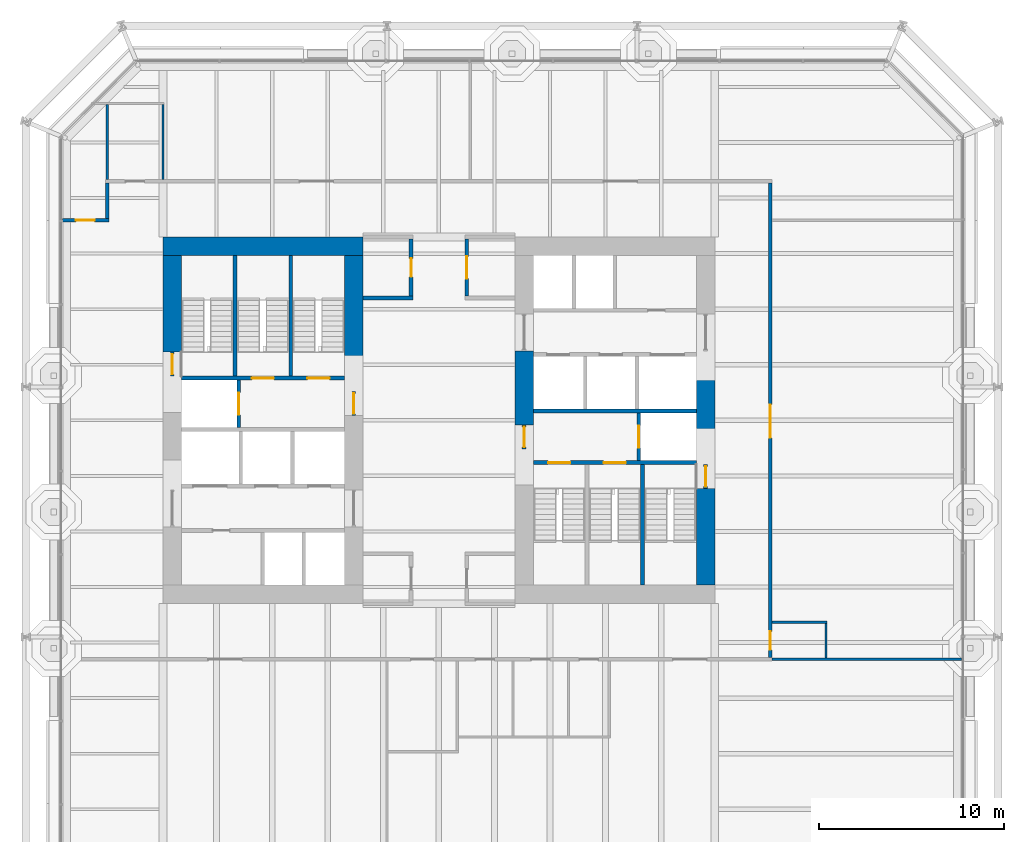
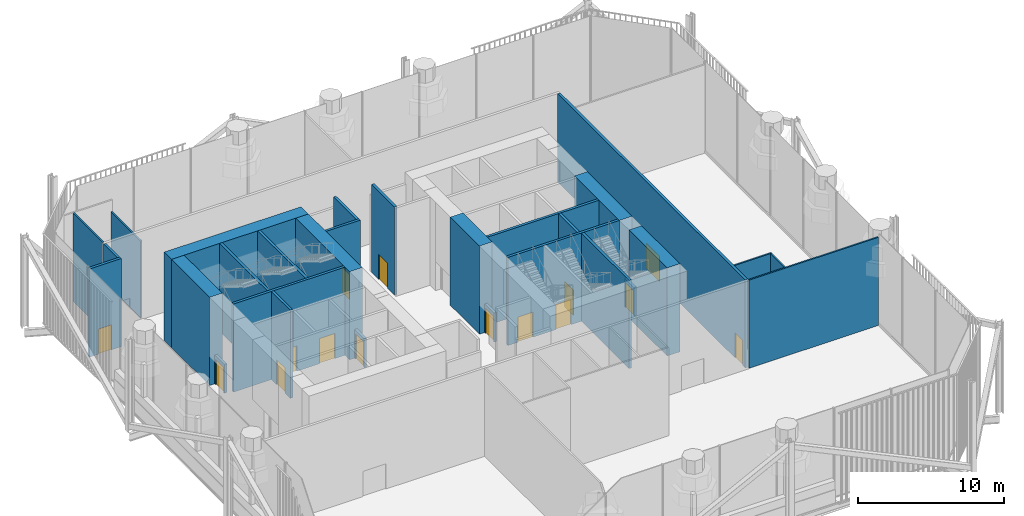
# One storey, part 13 of 18: 29 walls, 15 doors, 15 openings.
"""IFC4 building model written with IfcOpenShell, lengths in metres."""

from ifc_helpers import new_model, si_unit, direction, frame, frame_2d, origin, place, context, subcontext, project, spatial, rectangle, extrude, material, layer, layer_set, type_object, element, fill, save


model = new_model("IFC4")

# Units and contexts
model_context = context("Model", 3, precision=1e-05, world=origin(), true_north=direction((0.0, 1.0)))
body_context = subcontext(model_context, "Body", "Model", "MODEL_VIEW")
ifc_project = project(units=[si_unit("LENGTHUNIT", "METRE"), si_unit("AREAUNIT", "SQUARE_METRE"), si_unit("VOLUMEUNIT", "CUBIC_METRE"), si_unit("PLANEANGLEUNIT", "RADIAN"), si_unit("MASSUNIT", "GRAM", prefix="KILO")], contexts=[model_context])

# Site, building, storey
site_placement = place(None, origin())
site = spatial("IfcSite", under=ifc_project, at=site_placement, CompositionType="ELEMENT")
building_placement = place(site_placement, origin())
building = spatial("IfcBuilding", under=site, at=building_placement, Name="Millrace Tower", CompositionType="ELEMENT")
storey_placement = place(building_placement, frame((0.0, 0.0, 112.800048828125)))
storey = spatial("IfcBuildingStorey", under=building, at=storey_placement, Name="L25", CompositionType="ELEMENT", Elevation=112.800048828125)

# Walls
ifc_material_1 = material(Name="Concrete C80", Category="concrete")
ifc_layer_1 = layer(ifc_material_1, 1.0)
ifc_layer_set_1 = layer_set([ifc_layer_1], Name="Concrete C80")
wall_type_1 = type_object("IfcWallType", Name="Core wall 1000 Concrete C80", PredefinedType="SHEAR", material=ifc_layer_set_1)
wall_1_placement = place(storey_placement, frame((-14.89990234375, 9.39990234375, 0.0), z_axis=(0.0, 0.0, 1.0), x_axis=(1.0, 0.0, 0.0)))
element("IfcWall", 1, at=wall_1_placement, inside=storey, type_object=wall_type_1, Name="Core wall W L25", PredefinedType="SHEAR", context=body_context, shape_type="SweptSolid", body=[
    extrude(rectangle(XDim=10.7998046875, YDim=1.0, at=frame_2d((5.39990234375, 0.0))), origin(), (0.0, 0.0, 1.0), 7.349853515625),
])
wall_2_placement = place(storey_placement, frame((-14.39990234375, 3.679931640625, 0.0), z_axis=(0.0, 0.0, 1.0), x_axis=(0.0, 1.0, 0.0)))
element("IfcWall", 2, at=wall_2_placement, inside=storey, type_object=wall_type_1, Name="Core wall W L25", PredefinedType="SHEAR", context=body_context, shape_type="SweptSolid", body=[
    extrude(rectangle(XDim=5.219970703125, YDim=1.0, at=frame_2d((2.60986328125, 0.0))), origin(), (0.0, 0.0, 1.0), 7.349853515625),
])
wall_3_placement = place(storey_placement, frame((-4.60009765625, 1.550048828125, 0.0), z_axis=(0.0, 0.0, 1.0), x_axis=(0.0, 1.0, 0.0)))
element("IfcWall", 3, at=wall_3_placement, inside=storey, type_object=wall_type_1, Name="Core wall W L25", PredefinedType="SHEAR", context=body_context, shape_type="SweptSolid", body=[
    extrude(rectangle(XDim=7.349853515625, YDim=1.0, at=frame_2d((3.6748046875, 0.0))), origin(), (0.0, 0.0, 1.0), 7.349853515625),
])
wall_4_placement = place(storey_placement, frame((14.39990234375, 3.75, 0.0), z_axis=(0.0, 0.0, 1.0), x_axis=(0.0, -1.0, 0.0)))
element("IfcWall", 4, at=wall_4_placement, inside=storey, type_object=wall_type_1, Name="Core wall E L25", PredefinedType="SHEAR", context=body_context, shape_type="SweptSolid", body=[
    extrude(rectangle(XDim=6.1298828125, YDim=1.0, at=frame_2d((3.06494140625, 0.0))), origin(), (0.0, 0.0, 1.0), 7.349853515625),
])
wall_5_placement = place(storey_placement, frame((14.39990234375, -3.679931640625, 0.0), z_axis=(0.0, 0.0, 1.0), x_axis=(0.0, -1.0, 0.0)))
element("IfcWall", 5, at=wall_5_placement, inside=storey, type_object=wall_type_1, Name="Core wall E L25", PredefinedType="SHEAR", context=body_context, shape_type="SweptSolid", body=[
    extrude(rectangle(XDim=5.219970703125, YDim=1.0, at=frame_2d((2.60986328125, 0.0))), origin(), (0.0, 0.0, 1.0), 7.349853515625),
])
wall_6_placement = place(storey_placement, frame((4.60009765625, 3.75, 0.0), z_axis=(0.0, 0.0, 1.0), x_axis=(0.0, -1.0, 0.0)))
element("IfcWall", 6, at=wall_6_placement, inside=storey, type_object=wall_type_1, Name="Core wall E L25", PredefinedType="SHEAR", context=body_context, shape_type="SweptSolid", body=[
    extrude(rectangle(XDim=4.0, YDim=1.0, at=frame_2d((2.0, 0.0))), origin(), (0.0, 0.0, 1.0), 7.349853515625),
])
ifc_material_2 = material(Name="Masonry partition, fire-rated", Category="masonry")
ifc_layer_2 = layer(ifc_material_2, 0.199951171875)
ifc_layer_set_2 = layer_set([ifc_layer_2], Name="Masonry partition, fire-rated")
wall_type_2 = type_object("IfcWallType", Name="Corridor wall 200", PredefinedType="PARTITIONING", material=ifc_layer_set_2)
wall_7_placement = place(storey_placement, frame((-4.10009765625, 6.60009765625, 0.0), z_axis=(0.0, 0.0, 1.0), x_axis=(1.0, 0.0, 0.0)))
element("IfcWall", 7, at=wall_7_placement, inside=storey, type_object=wall_type_2, Name="Corridor wall L25", PredefinedType="PARTITIONING", context=body_context, shape_type="SweptSolid", body=[
    extrude(rectangle(XDim=2.7001953125, YDim=0.199951171875, at=frame_2d((1.35009765625, 0.0))), origin(), (0.0, 0.0, 1.0), 7.349853515625),
])

# Wall, opening, door
wall_8_placement = place(storey_placement, frame((-20.330078125, 10.800048828125, 0.0), z_axis=(0.0, 0.0, 1.0), x_axis=(1.0, 0.0, 0.0)))
wall_8 = element("IfcWall", 8, at=wall_8_placement, inside=storey, type_object=wall_type_2, Name="Corridor wall L25", PredefinedType="PARTITIONING", context=body_context, shape_type="SweptSolid", body=[
    extrude(rectangle(XDim=2.530029296875, YDim=0.199951171875, at=frame_2d((1.26513671875, 0.0))), origin(), (0.0, 0.0, 1.0), 7.349853515625),
])
opening_1_placement = place(wall_8_placement, frame((0.739990234375, 0.0, 0.0)))
opening_1 = element("IfcOpeningElement", 9, at=opening_1_placement, cuts=wall_8, Name="Opening 25-P010", PredefinedType="OPENING", context=body_context, shape_type="SweptSolid", body=[
    extrude(rectangle(XDim=1.0, YDim=2.10009765625, at=frame_2d((0.5, 1.050048828125))), frame((0.0, 0.10986328125, 0.0), z_axis=(0.0, -1.0, 0.0), x_axis=(1.0, 0.0, 0.0)), (0.0, 0.0, 1.0), 0.219970703125),
])
ifc_material_3 = material(Name="Steel door set, fire-rated", Category="steel")
door_type_1 = type_object("IfcDoorType", Name="Corridor door 1000 x 2100", OperationType="SINGLE_SWING_LEFT", PredefinedType="DOOR", material=ifc_material_3)
door_1_placement = place(opening_1_placement, origin())
door_1 = element("IfcDoor", 10, at=door_1_placement, inside=storey, type_object=door_type_1, Name="Door 25-P010", OperationType="SINGLE_SWING_LEFT", OverallHeight=2.10009765625, OverallWidth=1.0, PredefinedType="DOOR", context=body_context, shape_type="SweptSolid", body=[
    extrude(rectangle(XDim=1.0, YDim=2.10009765625, at=frame_2d((0.5, 1.050048828125))), frame((0.0, 0.02490234375, 0.0), z_axis=(0.0, -1.0, 0.0), x_axis=(1.0, 0.0, 0.0)), (0.0, 0.0, 1.0), 0.050048828125),
])
fill(opening_1, door_1)

# Wall, openings, doors
wall_9_placement = place(storey_placement, frame((17.89990234375, -12.800048828125, 0.0), z_axis=(0.0, 0.0, 1.0), x_axis=(0.0, 1.0, 0.0)))
wall_9 = element("IfcWall", 11, at=wall_9_placement, inside=storey, type_object=wall_type_2, Name="Corridor wall L25", PredefinedType="PARTITIONING", context=body_context, shape_type="SweptSolid", body=[
    extrude(rectangle(XDim=25.60009765625, YDim=0.199951171875, at=frame_2d((12.800048828125, 0.0))), origin(), (0.0, 0.0, 1.0), 7.349853515625),
])
opening_2_placement = place(wall_9_placement, frame((11.85009765625, 0.0, 0.0)))
opening_2 = element("IfcOpeningElement", 12, at=opening_2_placement, cuts=wall_9, Name="Opening 25-P012", PredefinedType="OPENING", context=body_context, shape_type="SweptSolid", body=[
    extrude(rectangle(XDim=1.800048828125, YDim=2.10009765625, at=frame_2d((0.89990234375, 1.050048828125))), frame((0.0, 0.10986328125, 0.0), z_axis=(0.0, -1.0, 0.0), x_axis=(1.0, 0.0, 0.0)), (0.0, 0.0, 1.0), 0.219970703125),
])
opening_3_placement = place(wall_9_placement, frame((0.39990234375, 0.0, 0.0)))
opening_3 = element("IfcOpeningElement", 13, at=opening_3_placement, cuts=wall_9, Name="Opening 25-P013", PredefinedType="OPENING", context=body_context, shape_type="SweptSolid", body=[
    extrude(rectangle(XDim=1.0, YDim=2.10009765625, at=frame_2d((0.5, 1.050048828125))), frame((0.0, 0.10986328125, 0.0), z_axis=(0.0, -1.0, 0.0), x_axis=(1.0, 0.0, 0.0)), (0.0, 0.0, 1.0), 0.219970703125),
])
door_2_placement = place(opening_3_placement, frame((1.0, 0.0, 0.0), z_axis=(0.0, 0.0, 1.0), x_axis=(-1.0, 0.0, 0.0)))
door_2 = element("IfcDoor", 14, at=door_2_placement, inside=storey, type_object=door_type_1, Name="Door 25-P013", OperationType="SINGLE_SWING_RIGHT", OverallHeight=2.10009765625, OverallWidth=1.0, PredefinedType="DOOR", context=body_context, shape_type="SweptSolid", body=[
    extrude(rectangle(XDim=1.0, YDim=2.10009765625, at=frame_2d((0.5, 1.050048828125))), frame((0.0, 0.02490234375, 0.0), z_axis=(0.0, -1.0, 0.0), x_axis=(1.0, 0.0, 0.0)), (0.0, 0.0, 1.0), 0.050048828125),
])
fill(opening_3, door_2)
ifc_material_4 = material(Name="Steel door set, fire-rated", Category="steel")
door_type_2 = type_object("IfcDoorType", Name="Corridor door 1800 x 2100", OperationType="DOUBLE_DOOR_SINGLE_SWING", PredefinedType="DOOR", material=ifc_material_4)
door_3_placement = place(opening_2_placement, origin())
door_3 = element("IfcDoor", 15, at=door_3_placement, inside=storey, type_object=door_type_2, Name="Door 25-P012", OperationType="DOUBLE_DOOR_SINGLE_SWING", OverallHeight=2.10009765625, OverallWidth=1.800048828125, PredefinedType="DOOR", context=body_context, shape_type="SweptSolid", body=[
    extrude(rectangle(XDim=1.800048828125, YDim=2.10009765625, at=frame_2d((0.89990234375, 1.050048828125))), frame((0.0, 0.02490234375, 0.0), z_axis=(0.0, -1.0, 0.0), x_axis=(1.0, 0.0, 0.0)), (0.0, 0.0, 1.0), 0.050048828125),
])
fill(opening_2, door_3)

# Wall, opening, door
wall_10_placement = place(storey_placement, frame((1.5, 6.699951171875, 0.0), z_axis=(0.0, 0.0, 1.0), x_axis=(0.0, 1.0, 0.0)))
wall_10 = element("IfcWall", 16, at=wall_10_placement, inside=storey, type_object=wall_type_2, Name="Corridor wall L25", PredefinedType="PARTITIONING", context=body_context, shape_type="SweptSolid", body=[
    extrude(rectangle(XDim=3.10009765625, YDim=0.199951171875, at=frame_2d((1.550048828125, 0.0))), origin(), (0.0, 0.0, 1.0), 7.349853515625),
])
opening_4_placement = place(wall_10_placement, frame((0.949951171875, 0.0, 0.0)))
opening_4 = element("IfcOpeningElement", 17, at=opening_4_placement, cuts=wall_10, Name="Opening 25-P002", PredefinedType="OPENING", context=body_context, shape_type="SweptSolid", body=[
    extrude(rectangle(XDim=1.199951171875, YDim=2.10009765625, at=frame_2d((0.60009765625, 1.050048828125))), frame((0.0, 0.10986328125, 0.0), z_axis=(0.0, -1.0, 0.0), x_axis=(1.0, 0.0, 0.0)), (0.0, 0.0, 1.0), 0.219970703125),
])
ifc_material_5 = material(Name="Steel door set, fire-rated", Category="steel")
door_type_3 = type_object("IfcDoorType", Name="Corridor door 1200 x 2100", OperationType="SINGLE_SWING_LEFT", PredefinedType="DOOR", material=ifc_material_5)
door_4_placement = place(opening_4_placement, frame((1.199951171875, 0.0, 0.0), z_axis=(0.0, 0.0, 1.0), x_axis=(-1.0, 0.0, 0.0)))
door_4 = element("IfcDoor", 18, at=door_4_placement, inside=storey, type_object=door_type_3, Name="Door 25-P002", OperationType="SINGLE_SWING_RIGHT", OverallHeight=2.10009765625, OverallWidth=1.199951171875, PredefinedType="DOOR", context=body_context, shape_type="SweptSolid", body=[
    extrude(rectangle(XDim=1.199951171875, YDim=2.10009765625, at=frame_2d((0.60009765625, 1.050048828125))), frame((0.0, 0.02490234375, 0.0), z_axis=(0.0, -1.0, 0.0), x_axis=(1.0, 0.0, 0.0)), (0.0, 0.0, 1.0), 0.050048828125),
])
fill(opening_4, door_4)

wall_11_placement = place(storey_placement, frame((-1.5, 6.699951171875, 0.0), z_axis=(0.0, 0.0, 1.0), x_axis=(0.0, 1.0, 0.0)))
wall_11 = element("IfcWall", 19, at=wall_11_placement, inside=storey, type_object=wall_type_2, Name="Corridor wall L25", PredefinedType="PARTITIONING", context=body_context, shape_type="SweptSolid", body=[
    extrude(rectangle(XDim=3.10009765625, YDim=0.199951171875, at=frame_2d((1.550048828125, 0.0))), origin(), (0.0, 0.0, 1.0), 7.349853515625),
])
opening_5_placement = place(wall_11_placement, frame((1.050048828125, 0.0, 0.0)))
opening_5 = element("IfcOpeningElement", 20, at=opening_5_placement, cuts=wall_11, Name="Opening 25-P001", PredefinedType="OPENING", context=body_context, shape_type="SweptSolid", body=[
    extrude(rectangle(XDim=1.0, YDim=2.10009765625, at=frame_2d((0.5, 1.050048828125))), frame((0.0, 0.10986328125, 0.0), z_axis=(0.0, -1.0, 0.0), x_axis=(1.0, 0.0, 0.0)), (0.0, 0.0, 1.0), 0.219970703125),
])
door_5_placement = place(opening_5_placement, origin())
door_5 = element("IfcDoor", 21, at=door_5_placement, inside=storey, type_object=door_type_1, Name="Door 25-P001", OperationType="SINGLE_SWING_LEFT", OverallHeight=2.10009765625, OverallWidth=1.0, PredefinedType="DOOR", context=body_context, shape_type="SweptSolid", body=[
    extrude(rectangle(XDim=1.0, YDim=2.10009765625, at=frame_2d((0.5, 1.050048828125))), frame((0.0, 0.02490234375, 0.0), z_axis=(0.0, -1.0, 0.0), x_axis=(1.0, 0.0, 0.0)), (0.0, 0.0, 1.0), 0.050048828125),
])
fill(opening_5, door_5)

# Wall
wall_12_placement = place(storey_placement, frame((-17.89990234375, 10.89990234375, 0.0), z_axis=(0.0, 0.0, 1.0), x_axis=(0.0, 1.0, 0.0)))
element("IfcWall", 22, at=wall_12_placement, inside=storey, type_object=wall_type_2, Name="Corridor wall L25", PredefinedType="PARTITIONING", context=body_context, shape_type="SweptSolid", body=[
    extrude(rectangle(XDim=1.900146484375, YDim=0.199951171875, at=frame_2d((0.9501953125, 0.0))), origin(), (0.0, 0.0, 1.0), 7.349853515625),
])

# Wall, opening, door
ifc_material_6 = material(Name="Masonry partition, fire-rated", Category="masonry")
ifc_layer_3 = layer(ifc_material_6, 0.199951171875)
ifc_layer_set_3 = layer_set([ifc_layer_3], Name="Masonry partition, fire-rated")
wall_type_3 = type_object("IfcWallType", Name="Lift shaft wall 200", PredefinedType="PARTITIONING", material=ifc_layer_set_3)
wall_13_placement = place(storey_placement, frame((-10.800048828125, -0.39990234375, 0.0), z_axis=(0.0, 0.0, 1.0), x_axis=(0.0, 1.0, 0.0)))
wall_13 = element("IfcWall", 23, at=wall_13_placement, inside=storey, type_object=wall_type_3, Name="Lift shaft wall W L25", PredefinedType="PARTITIONING", context=body_context, shape_type="SweptSolid", body=[
    extrude(rectangle(XDim=2.579833984375, YDim=0.199951171875, at=frame_2d((1.2900390625, 0.0))), origin(), (0.0, 0.0, 1.0), 7.349853515625),
])
opening_6_placement = place(wall_13_placement, frame((0.68994140625, 0.0, 0.0)))
opening_6 = element("IfcOpeningElement", 24, at=opening_6_placement, cuts=wall_13, Name="Opening 25-LD08", PredefinedType="OPENING", context=body_context, shape_type="SweptSolid", body=[
    extrude(rectangle(XDim=1.199951171875, YDim=2.10009765625, at=frame_2d((0.60009765625, 1.050048828125))), frame((0.0, 0.10986328125, 0.0), z_axis=(0.0, -1.0, 0.0), x_axis=(1.0, 0.0, 0.0)), (0.0, 0.0, 1.0), 0.219970703125),
])
ifc_material_7 = material(Name="Stainless steel, fire-rated", Category="steel")
door_type_4 = type_object("IfcDoorType", Name="Lift landing door 1200 x 2100", OperationType="DOUBLE_DOOR_SLIDING", PredefinedType="DOOR", material=ifc_material_7)
door_6_placement = place(opening_6_placement, origin())
door_6 = element("IfcDoor", 25, at=door_6_placement, inside=storey, type_object=door_type_4, Name="Lift landing door LF8 L25", OperationType="DOUBLE_DOOR_SLIDING", OverallHeight=2.10009765625, OverallWidth=1.199951171875, PredefinedType="DOOR", context=body_context, shape_type="SweptSolid", body=[
    extrude(rectangle(XDim=1.199951171875, YDim=2.10009765625, at=frame_2d((0.60009765625, 1.050048828125))), frame((0.0, 0.02490234375, 0.0), z_axis=(0.0, -1.0, 0.0), x_axis=(1.0, 0.0, 0.0)), (0.0, 0.0, 1.0), 0.050048828125),
])
fill(opening_6, door_6)

# Wall
wall_14_placement = place(storey_placement, frame((13.89990234375, 0.5, 0.0), z_axis=(0.0, 0.0, 1.0), x_axis=(-1.0, 0.0, 0.0)))
element("IfcWall", 26, at=wall_14_placement, inside=storey, type_object=wall_type_3, Name="Lift shaft wall E L25", PredefinedType="PARTITIONING", context=body_context, shape_type="SweptSolid", body=[
    extrude(rectangle(XDim=8.7998046875, YDim=0.199951171875, at=frame_2d((4.39990234375, 0.0))), origin(), (0.0, 0.0, 1.0), 7.349853515625),
])

# Wall, opening, door
wall_15_placement = place(storey_placement, frame((10.800048828125, 0.39990234375, 0.0), z_axis=(0.0, 0.0, 1.0), x_axis=(0.0, -1.0, 0.0)))
wall_15 = element("IfcWall", 27, at=wall_15_placement, inside=storey, type_object=wall_type_3, Name="Lift shaft wall E L25", PredefinedType="PARTITIONING", context=body_context, shape_type="SweptSolid", body=[
    extrude(rectangle(XDim=2.579833984375, YDim=0.199951171875, at=frame_2d((1.2900390625, 0.0))), origin(), (0.0, 0.0, 1.0), 7.349853515625),
])
opening_7_placement = place(wall_15_placement, frame((0.68994140625, 0.0, 0.0)))
opening_7 = element("IfcOpeningElement", 28, at=opening_7_placement, cuts=wall_15, Name="Opening 25-LD16", PredefinedType="OPENING", context=body_context, shape_type="SweptSolid", body=[
    extrude(rectangle(XDim=1.199951171875, YDim=2.10009765625, at=frame_2d((0.60009765625, 1.050048828125))), frame((0.0, 0.10986328125, 0.0), z_axis=(0.0, -1.0, 0.0), x_axis=(1.0, 0.0, 0.0)), (0.0, 0.0, 1.0), 0.219970703125),
])
door_7_placement = place(opening_7_placement, origin())
door_7 = element("IfcDoor", 29, at=door_7_placement, inside=storey, type_object=door_type_4, Name="Lift landing door LF16 L25", OperationType="DOUBLE_DOOR_SLIDING", OverallHeight=2.10009765625, OverallWidth=1.199951171875, PredefinedType="DOOR", context=body_context, shape_type="SweptSolid", body=[
    extrude(rectangle(XDim=1.199951171875, YDim=2.10009765625, at=frame_2d((0.60009765625, 1.050048828125))), frame((0.0, 0.02490234375, 0.0), z_axis=(0.0, -1.0, 0.0), x_axis=(1.0, 0.0, 0.0)), (0.0, 0.0, 1.0), 0.050048828125),
])
fill(opening_7, door_7)

ifc_material_8 = material(Name="Masonry partition, fire-rated", Category="masonry")
ifc_layer_4 = layer(ifc_material_8, 0.199951171875)
ifc_layer_set_4 = layer_set([ifc_layer_4], Name="Masonry partition, fire-rated")
wall_type_4 = type_object("IfcWallType", Name="Lobby wall 200", PredefinedType="PARTITIONING", material=ifc_layer_set_4)
wall_16_placement = place(storey_placement, frame((-4.60009765625, 0.25, 0.0), z_axis=(0.0, 0.0, 1.0), x_axis=(0.0, 1.0, 0.0)))
wall_16 = element("IfcWall", 30, at=wall_16_placement, inside=storey, type_object=wall_type_4, Name="Lobby wall W L25", PredefinedType="PARTITIONING", context=body_context, shape_type="SweptSolid", body=[
    extrude(rectangle(XDim=1.300048828125, YDim=0.199951171875, at=frame_2d((0.64990234375, 0.0))), origin(), (0.0, 0.0, 1.0), 2.39990234375),
])
opening_8_placement = place(wall_16_placement, frame((0.10009765625, 0.0, 0.0)))
opening_8 = element("IfcOpeningElement", 31, at=opening_8_placement, cuts=wall_16, Name="Opening 25-C004", PredefinedType="OPENING", context=body_context, shape_type="SweptSolid", body=[
    extrude(rectangle(XDim=1.10009765625, YDim=2.10009765625, at=frame_2d((0.550048828125, 1.050048828125))), frame((0.0, 0.10986328125, 0.0), z_axis=(0.0, -1.0, 0.0), x_axis=(1.0, 0.0, 0.0)), (0.0, 0.0, 1.0), 0.219970703125),
])
ifc_material_9 = material(Name="Steel door, fire-rated", Category="steel")
door_type_5 = type_object("IfcDoorType", Name="Lobby door 1100 x 2100", OperationType="SINGLE_SWING_LEFT", PredefinedType="DOOR", material=ifc_material_9)
door_8_placement = place(opening_8_placement, origin())
door_8 = element("IfcDoor", 32, at=door_8_placement, inside=storey, type_object=door_type_5, Name="Lobby door 25-C004", OperationType="SINGLE_SWING_RIGHT", OverallHeight=2.10009765625, OverallWidth=1.10009765625, PredefinedType="DOOR", context=body_context, shape_type="SweptSolid", body=[
    extrude(rectangle(XDim=1.10009765625, YDim=2.10009765625, at=frame_2d((0.550048828125, 1.050048828125))), frame((0.0, 0.02490234375, 0.0), z_axis=(0.0, -1.0, 0.0), x_axis=(1.0, 0.0, 0.0)), (0.0, 0.0, 1.0), 0.050048828125),
])
fill(opening_8, door_8)

wall_17_placement = place(storey_placement, frame((4.60009765625, -0.25, 0.0), z_axis=(0.0, 0.0, 1.0), x_axis=(0.0, -1.0, 0.0)))
wall_17 = element("IfcWall", 33, at=wall_17_placement, inside=storey, type_object=wall_type_4, Name="Lobby wall E L25", PredefinedType="PARTITIONING", context=body_context, shape_type="SweptSolid", body=[
    extrude(rectangle(XDim=1.300048828125, YDim=0.199951171875, at=frame_2d((0.64990234375, 0.0))), origin(), (0.0, 0.0, 1.0), 2.39990234375),
])
opening_9_placement = place(wall_17_placement, frame((0.10009765625, 0.0, 0.0)))
opening_9 = element("IfcOpeningElement", 34, at=opening_9_placement, cuts=wall_17, Name="Opening 25-C011", PredefinedType="OPENING", context=body_context, shape_type="SweptSolid", body=[
    extrude(rectangle(XDim=1.10009765625, YDim=2.10009765625, at=frame_2d((0.550048828125, 1.050048828125))), frame((0.0, 0.10986328125, 0.0), z_axis=(0.0, -1.0, 0.0), x_axis=(1.0, 0.0, 0.0)), (0.0, 0.0, 1.0), 0.219970703125),
])
door_9_placement = place(opening_9_placement, origin())
door_9 = element("IfcDoor", 35, at=door_9_placement, inside=storey, type_object=door_type_5, Name="Lobby door 25-C011", OperationType="SINGLE_SWING_LEFT", OverallHeight=2.10009765625, OverallWidth=1.10009765625, PredefinedType="DOOR", context=body_context, shape_type="SweptSolid", body=[
    extrude(rectangle(XDim=1.10009765625, YDim=2.10009765625, at=frame_2d((0.550048828125, 1.050048828125))), frame((0.0, 0.02490234375, 0.0), z_axis=(0.0, -1.0, 0.0), x_axis=(1.0, 0.0, 0.0)), (0.0, 0.0, 1.0), 0.050048828125),
])
fill(opening_9, door_9)

# Walls
ifc_material_10 = material(Name="Gypsum board partition")
ifc_layer_5 = layer(ifc_material_10, 0.1201171875)
ifc_layer_set_5 = layer_set([ifc_layer_5], Name="Gypsum board partition")
wall_type_5 = type_object("IfcWallType", Name="Partition wall 120", PredefinedType="PARTITIONING", material=ifc_layer_set_5)
wall_18_placement = place(storey_placement, frame((18.0, -12.89990234375, 0.0), z_axis=(0.0, 0.0, 1.0), x_axis=(1.0, 0.0, 0.0)))
element("IfcWall", 36, at=wall_18_placement, inside=storey, type_object=wall_type_5, Name="Partition wall L25", PredefinedType="PARTITIONING", context=body_context, shape_type="SweptSolid", body=[
    extrude(rectangle(XDim=10.22998046875, YDim=0.1201171875, at=frame_2d((5.114990234375, 0.0))), origin(), (0.0, 0.0, 1.0), 7.349853515625),
])
wall_19_placement = place(storey_placement, frame((18.0, -10.89990234375, 0.0), z_axis=(0.0, 0.0, 1.0), x_axis=(1.0, 0.0, 0.0)))
element("IfcWall", 37, at=wall_19_placement, inside=storey, type_object=wall_type_5, Name="Partition wall L25", PredefinedType="PARTITIONING", context=body_context, shape_type="SweptSolid", body=[
    extrude(rectangle(XDim=2.9599609375, YDim=0.1201171875, at=frame_2d((1.47998046875, 0.0))), origin(), (0.0, 0.0, 1.0), 7.349853515625),
])
wall_20_placement = place(storey_placement, frame((20.89990234375, -12.840087890625, 0.0), z_axis=(0.0, 0.0, 1.0), x_axis=(0.0, 1.0, 0.0)))
element("IfcWall", 38, at=wall_20_placement, inside=storey, type_object=wall_type_5, Name="Partition wall L25", PredefinedType="PARTITIONING", context=body_context, shape_type="SweptSolid", body=[
    extrude(rectangle(XDim=1.880126953125, YDim=0.1201171875, at=frame_2d((0.93994140625, 0.0))), origin(), (0.0, 0.0, 1.0), 7.349853515625),
])
wall_21_placement = place(storey_placement, frame((-14.89990234375, 13.0, 0.0), z_axis=(0.0, 0.0, 1.0), x_axis=(0.0, 1.0, 0.0)))
element("IfcWall", 39, at=wall_21_placement, inside=storey, type_object=wall_type_5, Name="Partition wall L25", PredefinedType="PARTITIONING", context=body_context, shape_type="SweptSolid", body=[
    extrude(rectangle(XDim=4.0390625, YDim=0.1201171875, at=frame_2d((2.01953125, 0.0))), origin(), (0.0, 0.0, 1.0), 6.402587890625),
])
wall_22_placement = place(storey_placement, frame((-17.89990234375, 13.0, 0.0), z_axis=(0.0, 0.0, 1.0), x_axis=(0.0, 1.0, 0.0)))
element("IfcWall", 40, at=wall_22_placement, inside=storey, type_object=wall_type_5, Name="Partition wall L25", PredefinedType="PARTITIONING", context=body_context, shape_type="SweptSolid", body=[
    extrude(rectangle(XDim=4.0390625, YDim=0.1201171875, at=frame_2d((2.01953125, 0.0))), origin(), (0.0, 0.0, 1.0), 7.349853515625),
])

# Wall, opening, door
ifc_material_11 = material(Name="Concrete C40", Category="concrete")
ifc_layer_6 = layer(ifc_material_11, 0.199951171875)
ifc_layer_set_6 = layer_set([ifc_layer_6], Name="Concrete C40")
wall_type_6 = type_object("IfcWallType", Name="Stair enclosure wall 200 Concrete C40", PredefinedType="SHEAR", material=ifc_layer_set_6)
wall_23_placement = place(storey_placement, frame((-14.39990234375, 2.3798828125, 0.0), z_axis=(0.0, 0.0, 1.0), x_axis=(0.0, 1.0, 0.0)))
wall_23 = element("IfcWall", 41, at=wall_23_placement, inside=storey, type_object=wall_type_6, Name="Stair enclosure wall W L25", PredefinedType="SHEAR", context=body_context, shape_type="SweptSolid", body=[
    extrude(rectangle(XDim=1.300048828125, YDim=0.199951171875, at=frame_2d((0.64990234375, 0.0))), origin(), (0.0, 0.0, 1.0), 2.39990234375),
])
opening_10_placement = place(wall_23_placement, frame((0.10009765625, 0.0, 0.0)))
opening_10 = element("IfcOpeningElement", 42, at=opening_10_placement, cuts=wall_23, Name="Opening 25-C002", PredefinedType="OPENING", context=body_context, shape_type="SweptSolid", body=[
    extrude(rectangle(XDim=1.10009765625, YDim=2.10009765625, at=frame_2d((0.550048828125, 1.050048828125))), frame((0.0, 0.10986328125, 0.0), z_axis=(0.0, -1.0, 0.0), x_axis=(1.0, 0.0, 0.0)), (0.0, 0.0, 1.0), 0.219970703125),
])
ifc_material_12 = material(Name="Steel door, fire-rated", Category="steel")
door_type_6 = type_object("IfcDoorType", Name="Stair door 1100 x 2100", OperationType="SINGLE_SWING_LEFT", PredefinedType="DOOR", material=ifc_material_12)
door_10_placement = place(opening_10_placement, origin())
door_10 = element("IfcDoor", 43, at=door_10_placement, inside=storey, type_object=door_type_6, Name="Stair door 25-C002", OperationType="SINGLE_SWING_LEFT", OverallHeight=2.10009765625, OverallWidth=1.10009765625, PredefinedType="DOOR", context=body_context, shape_type="SweptSolid", body=[
    extrude(rectangle(XDim=1.10009765625, YDim=2.10009765625, at=frame_2d((0.550048828125, 1.050048828125))), frame((0.0, 0.02490234375, 0.0), z_axis=(0.0, -1.0, 0.0), x_axis=(1.0, 0.0, 0.0)), (0.0, 0.0, 1.0), 0.050048828125),
])
fill(opening_10, door_10)

# Wall, openings, doors
wall_24_placement = place(storey_placement, frame((-13.89990234375, 2.280029296875, 0.0), z_axis=(0.0, 0.0, 1.0), x_axis=(1.0, 0.0, 0.0)))
wall_24 = element("IfcWall", 44, at=wall_24_placement, inside=storey, type_object=wall_type_6, Name="Stair enclosure wall W L25", PredefinedType="SHEAR", context=body_context, shape_type="SweptSolid", body=[
    extrude(rectangle(XDim=8.7998046875, YDim=0.199951171875, at=frame_2d((4.39990234375, 0.0))), origin(), (0.0, 0.0, 1.0), 7.349853515625),
])
opening_11_placement = place(wall_24_placement, frame((3.800048828125, 0.0, 0.0)))
opening_11 = element("IfcOpeningElement", 45, at=opening_11_placement, cuts=wall_24, Name="Opening 25-C006", PredefinedType="OPENING", context=body_context, shape_type="SweptSolid", body=[
    extrude(rectangle(XDim=1.199951171875, YDim=2.10009765625, at=frame_2d((0.60009765625, 1.050048828125))), frame((0.0, 0.10986328125, 0.0), z_axis=(0.0, -1.0, 0.0), x_axis=(1.0, 0.0, 0.0)), (0.0, 0.0, 1.0), 0.219970703125),
])
opening_12_placement = place(wall_24_placement, frame((6.800048828125, 0.0, 0.0)))
opening_12 = element("IfcOpeningElement", 46, at=opening_12_placement, cuts=wall_24, Name="Opening 25-C007", PredefinedType="OPENING", context=body_context, shape_type="SweptSolid", body=[
    extrude(rectangle(XDim=1.199951171875, YDim=2.10009765625, at=frame_2d((0.60009765625, 1.050048828125))), frame((0.0, 0.10986328125, 0.0), z_axis=(0.0, -1.0, 0.0), x_axis=(1.0, 0.0, 0.0)), (0.0, 0.0, 1.0), 0.219970703125),
])
ifc_material_13 = material(Name="Steel door, fire-rated", Category="steel")
door_type_7 = type_object("IfcDoorType", Name="Stair door 1200 x 2100", OperationType="SINGLE_SWING_LEFT", PredefinedType="DOOR", material=ifc_material_13)
door_11_placement = place(opening_11_placement, frame((1.199951171875, 0.0, 0.0), z_axis=(0.0, 0.0, 1.0), x_axis=(-1.0, 0.0, 0.0)))
door_11 = element("IfcDoor", 47, at=door_11_placement, inside=storey, type_object=door_type_7, Name="Stair door 25-C006", OperationType="SINGLE_SWING_RIGHT", OverallHeight=2.10009765625, OverallWidth=1.199951171875, PredefinedType="DOOR", context=body_context, shape_type="SweptSolid", body=[
    extrude(rectangle(XDim=1.199951171875, YDim=2.10009765625, at=frame_2d((0.60009765625, 1.050048828125))), frame((0.0, 0.02490234375, 0.0), z_axis=(0.0, -1.0, 0.0), x_axis=(1.0, 0.0, 0.0)), (0.0, 0.0, 1.0), 0.050048828125),
])
fill(opening_11, door_11)
door_12_placement = place(opening_12_placement, frame((1.199951171875, 0.0, 0.0), z_axis=(0.0, 0.0, 1.0), x_axis=(-1.0, 0.0, 0.0)))
door_12 = element("IfcDoor", 48, at=door_12_placement, inside=storey, type_object=door_type_7, Name="Stair door 25-C007", OperationType="SINGLE_SWING_LEFT", OverallHeight=2.10009765625, OverallWidth=1.199951171875, PredefinedType="DOOR", context=body_context, shape_type="SweptSolid", body=[
    extrude(rectangle(XDim=1.199951171875, YDim=2.10009765625, at=frame_2d((0.60009765625, 1.050048828125))), frame((0.0, 0.02490234375, 0.0), z_axis=(0.0, -1.0, 0.0), x_axis=(1.0, 0.0, 0.0)), (0.0, 0.0, 1.0), 0.050048828125),
])
fill(opening_12, door_12)

# Walls
for number, where, z_axis, x_axis, name in (
    (49, (-11.0, 2.3798828125, 0.0), (0.0, 0.0, 1.0), (0.0, 1.0, 0.0), "Stair enclosure wall W L25"),
    (50, (-8.0, 2.3798828125, 0.0), (0.0, 0.0, 1.0), (0.0, 1.0, 0.0), "Stair enclosure wall W L25"),
):
    element("IfcWall", number, at=place(storey_placement, frame(where, z_axis=z_axis, x_axis=x_axis)), inside=storey, type_object=wall_type_6, Name=name, PredefinedType="SHEAR", context=body_context, shape_type="SweptSolid", body=[
        extrude(rectangle(XDim=6.52001953125, YDim=0.199951171875, at=frame_2d((3.260009765625, 0.0))), origin(), (0.0, 0.0, 1.0), 7.349853515625),
    ])

# Wall, opening, door
wall_25_placement = place(storey_placement, frame((14.39990234375, -2.3798828125, 0.0), z_axis=(0.0, 0.0, 1.0), x_axis=(0.0, -1.0, 0.0)))
wall_25 = element("IfcWall", 51, at=wall_25_placement, inside=storey, type_object=wall_type_6, Name="Stair enclosure wall E L25", PredefinedType="SHEAR", context=body_context, shape_type="SweptSolid", body=[
    extrude(rectangle(XDim=1.300048828125, YDim=0.199951171875, at=frame_2d((0.64990234375, 0.0))), origin(), (0.0, 0.0, 1.0), 2.39990234375),
])
opening_13_placement = place(wall_25_placement, frame((0.10009765625, 0.0, 0.0)))
opening_13 = element("IfcOpeningElement", 52, at=opening_13_placement, cuts=wall_25, Name="Opening 25-C009", PredefinedType="OPENING", context=body_context, shape_type="SweptSolid", body=[
    extrude(rectangle(XDim=1.10009765625, YDim=2.10009765625, at=frame_2d((0.550048828125, 1.050048828125))), frame((0.0, 0.10986328125, 0.0), z_axis=(0.0, -1.0, 0.0), x_axis=(1.0, 0.0, 0.0)), (0.0, 0.0, 1.0), 0.219970703125),
])
door_13_placement = place(opening_13_placement, origin())
door_13 = element("IfcDoor", 53, at=door_13_placement, inside=storey, type_object=door_type_6, Name="Stair door 25-C009", OperationType="SINGLE_SWING_LEFT", OverallHeight=2.10009765625, OverallWidth=1.10009765625, PredefinedType="DOOR", context=body_context, shape_type="SweptSolid", body=[
    extrude(rectangle(XDim=1.10009765625, YDim=2.10009765625, at=frame_2d((0.550048828125, 1.050048828125))), frame((0.0, 0.02490234375, 0.0), z_axis=(0.0, -1.0, 0.0), x_axis=(1.0, 0.0, 0.0)), (0.0, 0.0, 1.0), 0.050048828125),
])
fill(opening_13, door_13)

# Wall, openings, doors
wall_26_placement = place(storey_placement, frame((13.89990234375, -2.280029296875, 0.0), z_axis=(0.0, 0.0, 1.0), x_axis=(-1.0, 0.0, 0.0)))
wall_26 = element("IfcWall", 54, at=wall_26_placement, inside=storey, type_object=wall_type_6, Name="Stair enclosure wall E L25", PredefinedType="SHEAR", context=body_context, shape_type="SweptSolid", body=[
    extrude(rectangle(XDim=8.7998046875, YDim=0.199951171875, at=frame_2d((4.39990234375, 0.0))), origin(), (0.0, 0.0, 1.0), 7.349853515625),
])
opening_14_placement = place(wall_26_placement, frame((3.800048828125, 0.0, 0.0)))
opening_14 = element("IfcOpeningElement", 55, at=opening_14_placement, cuts=wall_26, Name="Opening 25-C013", PredefinedType="OPENING", context=body_context, shape_type="SweptSolid", body=[
    extrude(rectangle(XDim=1.199951171875, YDim=2.10009765625, at=frame_2d((0.60009765625, 1.050048828125))), frame((0.0, 0.10986328125, 0.0), z_axis=(0.0, -1.0, 0.0), x_axis=(1.0, 0.0, 0.0)), (0.0, 0.0, 1.0), 0.219970703125),
])
opening_15_placement = place(wall_26_placement, frame((6.800048828125, 0.0, 0.0)))
opening_15 = element("IfcOpeningElement", 56, at=opening_15_placement, cuts=wall_26, Name="Opening 25-C014", PredefinedType="OPENING", context=body_context, shape_type="SweptSolid", body=[
    extrude(rectangle(XDim=1.199951171875, YDim=2.10009765625, at=frame_2d((0.60009765625, 1.050048828125))), frame((0.0, 0.10986328125, 0.0), z_axis=(0.0, -1.0, 0.0), x_axis=(1.0, 0.0, 0.0)), (0.0, 0.0, 1.0), 0.219970703125),
])
door_14_placement = place(opening_14_placement, frame((1.199951171875, 0.0, 0.0), z_axis=(0.0, 0.0, 1.0), x_axis=(-1.0, 0.0, 0.0)))
door_14 = element("IfcDoor", 57, at=door_14_placement, inside=storey, type_object=door_type_7, Name="Stair door 25-C013", OperationType="SINGLE_SWING_RIGHT", OverallHeight=2.10009765625, OverallWidth=1.199951171875, PredefinedType="DOOR", context=body_context, shape_type="SweptSolid", body=[
    extrude(rectangle(XDim=1.199951171875, YDim=2.10009765625, at=frame_2d((0.60009765625, 1.050048828125))), frame((0.0, 0.02490234375, 0.0), z_axis=(0.0, -1.0, 0.0), x_axis=(1.0, 0.0, 0.0)), (0.0, 0.0, 1.0), 0.050048828125),
])
fill(opening_14, door_14)
door_15_placement = place(opening_15_placement, frame((1.199951171875, 0.0, 0.0), z_axis=(0.0, 0.0, 1.0), x_axis=(-1.0, 0.0, 0.0)))
door_15 = element("IfcDoor", 58, at=door_15_placement, inside=storey, type_object=door_type_7, Name="Stair door 25-C014", OperationType="SINGLE_SWING_LEFT", OverallHeight=2.10009765625, OverallWidth=1.199951171875, PredefinedType="DOOR", context=body_context, shape_type="SweptSolid", body=[
    extrude(rectangle(XDim=1.199951171875, YDim=2.10009765625, at=frame_2d((0.60009765625, 1.050048828125))), frame((0.0, 0.02490234375, 0.0), z_axis=(0.0, -1.0, 0.0), x_axis=(1.0, 0.0, 0.0)), (0.0, 0.0, 1.0), 0.050048828125),
])
fill(opening_15, door_15)

# Wall
wall_27_placement = place(storey_placement, frame((11.0, -2.3798828125, 0.0), z_axis=(0.0, 0.0, 1.0), x_axis=(0.0, -1.0, 0.0)))
element("IfcWall", 59, at=wall_27_placement, inside=storey, type_object=wall_type_6, Name="Stair enclosure wall E L25", PredefinedType="SHEAR", context=body_context, shape_type="SweptSolid", body=[
    extrude(rectangle(XDim=6.52001953125, YDim=0.199951171875, at=frame_2d((3.260009765625, 0.0))), origin(), (0.0, 0.0, 1.0), 7.349853515625),
])

save(model, "model.ifc")
